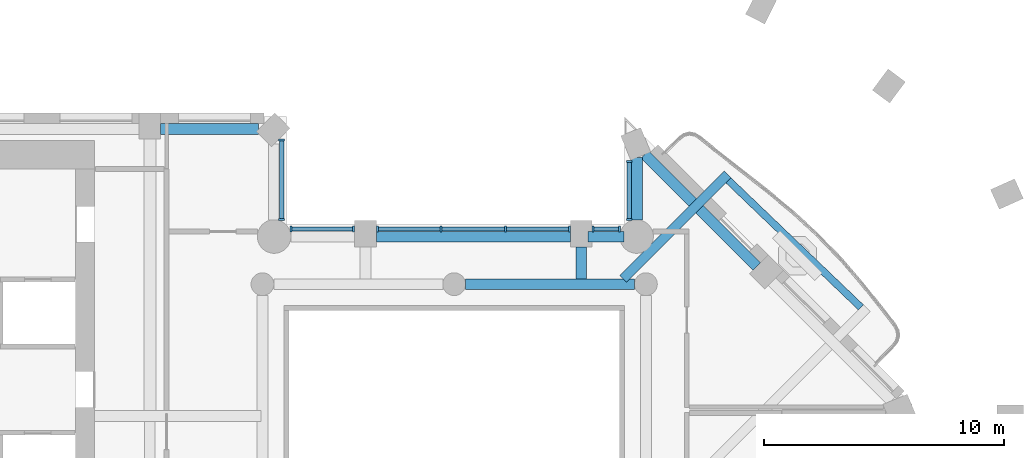
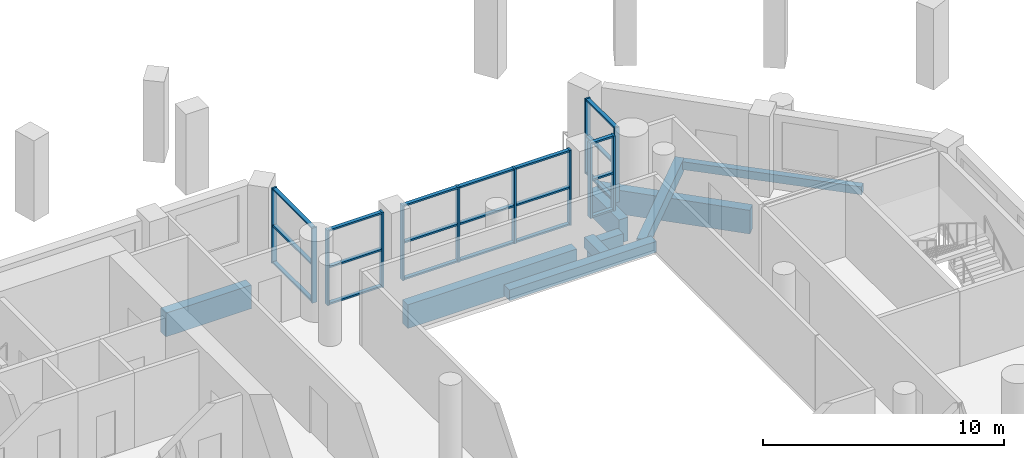
# One storey, part 2 of 15: 33 members, 9 beams, 5 elements without a shape of their own.
"""IFC4 building model written with IfcOpenShell, lengths in metres."""

from ifc_helpers import new_model, si_unit, direction, frame, origin, origin_2d, place, context, subcontext, project, spatial, rectangle, extrude, material, material_profile, profile_set, type_object, element, aggregate, save


model = new_model("IFC4")

# Units and contexts
model_context = context("Model", 3, precision=1e-05, world=origin(), true_north=direction((0.0, 1.0)))
body_context = subcontext(model_context, "Body", "Model", "MODEL_VIEW")
ifc_project = project(units=[si_unit("LENGTHUNIT", "METRE"), si_unit("AREAUNIT", "SQUARE_METRE"), si_unit("VOLUMEUNIT", "CUBIC_METRE"), si_unit("PLANEANGLEUNIT", "RADIAN"), si_unit("MASSUNIT", "GRAM", prefix="KILO")], contexts=[model_context])

# Site, building, storey
site_placement = place(None, origin())
site = spatial("IfcSite", under=ifc_project, at=site_placement, CompositionType="ELEMENT")
building_placement = place(site_placement, origin())
building = spatial("IfcBuilding", under=site, at=building_placement, Name="Cypress Arch Tower", CompositionType="ELEMENT")
storey_placement = place(building_placement, frame((0.0, 0.0, 213.800048828125)))
storey = spatial("IfcBuildingStorey", under=building, at=storey_placement, Name="L47", CompositionType="ELEMENT", Elevation=213.800048828125)

# Beams
ifc_material_1 = material(Name="Concrete C50/60", Category="concrete")
ifc_material_profile_1 = material_profile(ifc_material_1, rectangle(XDim=0.300048828125, YDim=0.39990234375, at=origin_2d()), Name="RC 300x400")
ifc_profile_set_1 = profile_set([ifc_material_profile_1], Name="Concrete C50/60")
beam_type_1 = type_object("IfcBeamType", Name="Balcony edge beam RC 300x400 Concrete C50/60", PredefinedType="BEAM", material=ifc_profile_set_1)
beam_1_placement = place(storey_placement, frame((17.97216796875, 9.03076171875, -0.5), z_axis=(-0.721938465485, 0.691957261724, 0.0), x_axis=(-0.691957261724, -0.721938465485, 0.0)))
element("IfcBeam", 1, at=beam_1_placement, inside=storey, type_object=beam_type_1, Name="Balcony edge beam L47 B05", PredefinedType="BEAM", context=body_context, shape_type="SweptSolid", body=[
    extrude(rectangle(XDim=0.300048828125, YDim=0.39990234375, at=origin_2d()), origin(), (0.0, 0.0, 1.0), 7.66259765625),
])
ifc_material_2 = material(Name="Concrete C50/60", Category="concrete")
ifc_material_profile_2 = material_profile(ifc_material_2, rectangle(XDim=0.39990234375, YDim=0.64990234375, at=origin_2d()), Name="RC 400x650")
ifc_profile_set_2 = profile_set([ifc_material_profile_2], Name="Concrete C50/60")
beam_type_2 = type_object("IfcBeamType", Name="Cantilever beam RC 400x650 Concrete C50/60", PredefinedType="BEAM", material=ifc_profile_set_2)
beam_2_placement = place(storey_placement, frame((8.04931640625, 10.22509765625, -0.625), z_axis=(0.707106781187, 0.707106781187, 0.0), x_axis=(-0.707106781187, 0.707106781187, 0.0)))
element("IfcBeam", 2, at=beam_2_placement, inside=storey, type_object=beam_type_2, Name="Cantilever beam L47 B05 2", PredefinedType="BEAM", context=body_context, shape_type="SweptSolid", body=[
    extrude(rectangle(XDim=0.39990234375, YDim=0.64990234375, at=origin_2d()), origin(), (0.0, 0.0, 1.0), 6.15966796875),
])
ifc_material_3 = material(Name="Concrete C50/60", Category="concrete")
ifc_material_profile_3 = material_profile(ifc_material_3, rectangle(XDim=0.449951171875, YDim=0.550048828125, at=origin_2d()), Name="RC 450x550")
ifc_profile_set_3 = profile_set([ifc_material_profile_3], Name="Concrete C50/60")
beam_type_3 = type_object("IfcBeamType", Name="Floor beam RC 450x550 Concrete C50/60", PredefinedType="BEAM", material=ifc_profile_set_3)
beam_3_placement = place(storey_placement, frame((1.47509765625, 10.0, -0.574951171875), z_axis=(1.0, 0.0, 0.0), x_axis=(0.0, 1.0, 0.0)))
element("IfcBeam", 3, at=beam_3_placement, inside=storey, type_object=beam_type_3, Name="Floor beam L47 RB008", PredefinedType="BEAM", context=body_context, shape_type="SweptSolid", body=[
    extrude(rectangle(XDim=0.449951171875, YDim=0.550048828125, at=origin_2d()), origin(), (0.0, 0.0, 1.0), 7.0498046875),
])
beam_4_placement = place(storey_placement, frame((6.300048828125, 10.22509765625, -0.574951171875), z_axis=(0.0, 1.0, 0.0), x_axis=(-1.0, 0.0, 0.0)))
element("IfcBeam", 4, at=beam_4_placement, inside=storey, type_object=beam_type_3, Name="Floor beam L47 FB017", PredefinedType="BEAM", context=body_context, shape_type="SweptSolid", body=[
    extrude(rectangle(XDim=0.449951171875, YDim=0.550048828125, at=origin_2d()), origin(), (0.0, 0.0, 1.0), 1.324951171875),
])

# Curtain wall, members
ifc_material_4 = material(Name="Anodised aluminium, bronze finish, clear laminated double glazing", Category="aluminium")
curtain_wall_type = type_object("IfcCurtainWallType", Name="Curtain wall CW7 slot glazing", PredefinedType="NOTDEFINED", material=ifc_material_4)
curtain_wall_1_placement = place(storey_placement, origin())
curtain_wall_1 = element("IfcCurtainWall", 5, at=curtain_wall_1_placement, inside=storey, type_object=curtain_wall_type, Name="Curtain wall L47 slot B06.0", PredefinedType="NOTDEFINED")
ifc_material_5 = material(Name="Anodised aluminium, bronze finish", Category="aluminium")
ifc_material_profile_4 = material_profile(ifc_material_5, rectangle(XDim=0.239990234375, YDim=0.0849609375, at=origin_2d()), Name="Mullion 85x240")
ifc_profile_set_4 = profile_set([ifc_material_profile_4], Name="Anodised aluminium, bronze finish")
member_type_1 = type_object("IfcMemberType", Name="Mullion CW7 85x240", PredefinedType="MULLION", material=ifc_profile_set_4)
member_1_placement = place(storey_placement, frame((8.300048828125, 15.12744140625, 0.0), z_axis=(0.0, 0.0, 1.0), x_axis=(1.0, 0.0, 0.0)))
member_1 = element("IfcMember", 6, at=member_1_placement, type_object=member_type_1, Name="CW7 mullion 1", PredefinedType="MULLION", context=body_context, shape_type="SweptSolid", body=[
    extrude(rectangle(XDim=0.239990234375, YDim=0.0849609375, at=origin_2d()), origin(), (0.0, 0.0, 1.0), 3.800048828125),
])
member_2_placement = place(storey_placement, frame((8.300048828125, 12.697021484375, 0.0), z_axis=(0.0, 0.0, 1.0), x_axis=(1.0, 0.0, 0.0)))
member_2 = element("IfcMember", 7, at=member_2_placement, type_object=member_type_1, Name="CW7 mullion 2", PredefinedType="MULLION", context=body_context, shape_type="SweptSolid", body=[
    extrude(rectangle(XDim=0.239990234375, YDim=0.0849609375, at=origin_2d()), origin(), (0.0, 0.0, 1.0), 3.800048828125),
])

curtain_wall_2_placement = place(storey_placement, origin())
curtain_wall_2 = element("IfcCurtainWall", 8, at=curtain_wall_2_placement, inside=storey, type_object=curtain_wall_type, Name="Curtain wall L47 slot B07.0", PredefinedType="NOTDEFINED")
member_3_placement = place(storey_placement, frame((7.903076171875, 12.300048828125, 0.0), z_axis=(0.0, 0.0, 1.0), x_axis=(0.0, -1.0, 0.0)))
member_3 = element("IfcMember", 9, at=member_3_placement, type_object=member_type_1, Name="CW7 mullion 1", PredefinedType="MULLION", context=body_context, shape_type="SweptSolid", body=[
    extrude(rectangle(XDim=0.239990234375, YDim=0.0849609375, at=origin_2d()), origin(), (0.0, 0.0, 1.0), 3.800048828125),
])
member_4_placement = place(storey_placement, frame((6.79248046875, 12.300048828125, 0.0), z_axis=(0.0, 0.0, 1.0), x_axis=(0.0, -1.0, 0.0)))
member_4 = element("IfcMember", 10, at=member_4_placement, type_object=member_type_1, Name="CW7 mullion 2", PredefinedType="MULLION", context=body_context, shape_type="SweptSolid", body=[
    extrude(rectangle(XDim=0.239990234375, YDim=0.0849609375, at=origin_2d()), origin(), (0.0, 0.0, 1.0), 3.800048828125),
])

curtain_wall_3_placement = place(storey_placement, origin())
curtain_wall_3 = element("IfcCurtainWall", 11, at=curtain_wall_3_placement, inside=storey, type_object=curtain_wall_type, Name="Curtain wall L47 slot B07.1", PredefinedType="NOTDEFINED")
member_5_placement = place(storey_placement, frame((5.8076171875, 12.300048828125, 0.0), z_axis=(0.0, 0.0, 1.0), x_axis=(0.0, -1.0, 0.0)))
member_5 = element("IfcMember", 12, at=member_5_placement, type_object=member_type_1, Name="CW7 mullion 1", PredefinedType="MULLION", context=body_context, shape_type="SweptSolid", body=[
    extrude(rectangle(XDim=0.239990234375, YDim=0.0849609375, at=origin_2d()), origin(), (0.0, 0.0, 1.0), 3.800048828125),
])
member_6_placement = place(storey_placement, frame((3.14990234375, 12.300048828125, 0.0), z_axis=(0.0, 0.0, 1.0), x_axis=(0.0, -1.0, 0.0)))
member_6 = element("IfcMember", 13, at=member_6_placement, type_object=member_type_1, Name="CW7 mullion 2", PredefinedType="MULLION", context=body_context, shape_type="SweptSolid", body=[
    extrude(rectangle(XDim=0.239990234375, YDim=0.0849609375, at=origin_2d()), origin(), (0.0, 0.0, 1.0), 3.800048828125),
])
member_7_placement = place(storey_placement, frame((0.449951171875, 12.300048828125, 0.0), z_axis=(0.0, 0.0, 1.0), x_axis=(0.0, -1.0, 0.0)))
member_7 = element("IfcMember", 14, at=member_7_placement, type_object=member_type_1, Name="CW7 mullion 3", PredefinedType="MULLION", context=body_context, shape_type="SweptSolid", body=[
    extrude(rectangle(XDim=0.239990234375, YDim=0.0849609375, at=origin_2d()), origin(), (0.0, 0.0, 1.0), 3.800048828125),
])
member_8_placement = place(storey_placement, frame((-2.20751953125, 12.300048828125, 0.0), z_axis=(0.0, 0.0, 1.0), x_axis=(0.0, -1.0, 0.0)))
member_8 = element("IfcMember", 15, at=member_8_placement, type_object=member_type_1, Name="CW7 mullion 4", PredefinedType="MULLION", context=body_context, shape_type="SweptSolid", body=[
    extrude(rectangle(XDim=0.239990234375, YDim=0.0849609375, at=origin_2d()), origin(), (0.0, 0.0, 1.0), 3.800048828125),
])

curtain_wall_4_placement = place(storey_placement, origin())
curtain_wall_4 = element("IfcCurtainWall", 16, at=curtain_wall_4_placement, inside=storey, type_object=curtain_wall_type, Name="Curtain wall L47 slot B07.2", PredefinedType="NOTDEFINED")
member_9_placement = place(storey_placement, frame((-3.1923828125, 12.300048828125, 0.0), z_axis=(0.0, 0.0, 1.0), x_axis=(0.0, -1.0, 0.0)))
member_9 = element("IfcMember", 17, at=member_9_placement, type_object=member_type_1, Name="CW7 mullion 1", PredefinedType="MULLION", context=body_context, shape_type="SweptSolid", body=[
    extrude(rectangle(XDim=0.239990234375, YDim=0.0849609375, at=origin_2d()), origin(), (0.0, 0.0, 1.0), 3.800048828125),
])
member_10_placement = place(storey_placement, frame((-5.802978515625, 12.300048828125, 0.0), z_axis=(0.0, 0.0, 1.0), x_axis=(0.0, -1.0, 0.0)))
member_10 = element("IfcMember", 18, at=member_10_placement, type_object=member_type_1, Name="CW7 mullion 2", PredefinedType="MULLION", context=body_context, shape_type="SweptSolid", body=[
    extrude(rectangle(XDim=0.239990234375, YDim=0.0849609375, at=origin_2d()), origin(), (0.0, 0.0, 1.0), 3.800048828125),
])

curtain_wall_5_placement = place(storey_placement, origin())
curtain_wall_5 = element("IfcCurtainWall", 19, at=curtain_wall_5_placement, inside=storey, type_object=curtain_wall_type, Name="Curtain wall L47 slot B08.0", PredefinedType="NOTDEFINED")
member_11_placement = place(storey_placement, frame((-6.199951171875, 12.697021484375, 0.0), z_axis=(0.0, 0.0, 1.0), x_axis=(-1.0, 0.0, 0.0)))
member_11 = element("IfcMember", 20, at=member_11_placement, type_object=member_type_1, Name="CW7 mullion 1", PredefinedType="MULLION", context=body_context, shape_type="SweptSolid", body=[
    extrude(rectangle(XDim=0.239990234375, YDim=0.0849609375, at=origin_2d()), origin(), (0.0, 0.0, 1.0), 3.800048828125),
])
member_12_placement = place(storey_placement, frame((-6.199951171875, 16.02099609375, 0.0), z_axis=(0.0, 0.0, 1.0), x_axis=(-1.0, 0.0, 0.0)))
member_12 = element("IfcMember", 21, at=member_12_placement, type_object=member_type_1, Name="CW7 mullion 2", PredefinedType="MULLION", context=body_context, shape_type="SweptSolid", body=[
    extrude(rectangle(XDim=0.239990234375, YDim=0.0849609375, at=origin_2d()), origin(), (0.0, 0.0, 1.0), 3.800048828125),
])

# Beams
ifc_material_6 = material(Name="Concrete C50/60", Category="concrete")
ifc_material_profile_5 = material_profile(ifc_material_6, rectangle(XDim=0.449951171875, YDim=1.199951171875, at=origin_2d()), Name="RC 450x1200")
ifc_profile_set_5 = profile_set([ifc_material_profile_5], Name="Concrete C50/60")
beam_type_4 = type_object("IfcBeamType", Name="Spandrel beam RC 450x1200 Concrete C50/60", PredefinedType="SPANDREL", material=ifc_profile_set_5)
beam_5_placement = place(storey_placement, frame((13.622802734375, 10.73486328125, -1.550048828125), z_axis=(-0.707106781187, 0.707106781187, 0.0), x_axis=(-0.707106781187, -0.707106781187, 0.0)))
element("IfcBeam", 22, at=beam_5_placement, inside=storey, type_object=beam_type_4, Name="Spandrel beam L47 BB05-1", PredefinedType="SPANDREL", context=body_context, shape_type="SweptSolid", body=[
    extrude(rectangle(XDim=0.449951171875, YDim=1.199951171875, at=origin_2d()), origin(), (0.0, 0.0, 1.0), 6.610595703125),
])
beam_6_placement = place(storey_placement, frame((8.625, 15.275146484375, -1.550048828125), z_axis=(0.0, -1.0, 0.0), x_axis=(1.0, 0.0, 0.0)))
element("IfcBeam", 23, at=beam_6_placement, inside=storey, type_object=beam_type_4, Name="Spandrel beam L47 BB06-0", PredefinedType="SPANDREL", context=body_context, shape_type="SweptSolid", body=[
    extrude(rectangle(XDim=0.449951171875, YDim=1.199951171875, at=origin_2d()), origin(), (0.0, 0.0, 1.0), 2.587646484375),
])
beam_7_placement = place(storey_placement, frame((8.081298828125, 11.97509765625, -1.550048828125), z_axis=(-1.0, 0.0, 0.0), x_axis=(0.0, -1.0, 0.0)))
element("IfcBeam", 24, at=beam_7_placement, inside=storey, type_object=beam_type_4, Name="Spandrel beam L47 BB07-0", PredefinedType="SPANDREL", context=body_context, shape_type="SweptSolid", body=[
    extrude(rectangle(XDim=0.449951171875, YDim=1.199951171875, at=origin_2d()), origin(), (0.0, 0.0, 1.0), 1.5),
])
beam_8_placement = place(storey_placement, frame((5.85009765625, 11.97509765625, -1.550048828125), z_axis=(-1.0, 0.0, 0.0), x_axis=(0.0, -1.0, 0.0)))
element("IfcBeam", 25, at=beam_8_placement, inside=storey, type_object=beam_type_4, Name="Spandrel beam L47 BB07-1", PredefinedType="SPANDREL", context=body_context, shape_type="SweptSolid", body=[
    extrude(rectangle(XDim=0.449951171875, YDim=1.199951171875, at=origin_2d()), origin(), (0.0, 0.0, 1.0), 8.10009765625),
])
beam_9_placement = place(storey_placement, frame((-7.161376953125, 16.47509765625, -1.550048828125), z_axis=(-1.0, 0.0, 0.0), x_axis=(0.0, -1.0, 0.0)))
element("IfcBeam", 26, at=beam_9_placement, inside=storey, type_object=beam_type_4, Name="Spandrel beam L47 BB09-0", PredefinedType="SPANDREL", context=body_context, shape_type="SweptSolid", body=[
    extrude(rectangle(XDim=0.449951171875, YDim=1.199951171875, at=origin_2d()), origin(), (0.0, 0.0, 1.0), 4.088623046875),
])

# Member
ifc_material_7 = material(Name="Anodised aluminium, bronze finish", Category="aluminium")
ifc_material_profile_6 = material_profile(ifc_material_7, rectangle(XDim=0.179931640625, YDim=0.0849609375, at=origin_2d()), Name="Transom 85x180")
ifc_profile_set_6 = profile_set([ifc_material_profile_6], Name="Anodised aluminium, bronze finish")
member_type_2 = type_object("IfcMemberType", Name="Transom CW7 85x180", PredefinedType="USERDEFINED", material=ifc_profile_set_6)
member_13_placement = place(storey_placement, frame((8.300048828125, 15.0849609375, 0.04248046875), z_axis=(0.0, -1.0, 0.0), x_axis=(1.0, 0.0, 0.0)))
member_13 = element("IfcMember", 27, at=member_13_placement, type_object=member_type_2, Name="CW7 transom 1.1", ObjectType="TRANSOM", PredefinedType="USERDEFINED", context=body_context, shape_type="SweptSolid", body=[
    extrude(rectangle(XDim=0.179931640625, YDim=0.0849609375, at=origin_2d()), origin(), (0.0, 0.0, 1.0), 2.345458984375),
])

member_14_placement = place(storey_placement, frame((8.300048828125, 15.0849609375, 1.89990234375), z_axis=(0.0, -1.0, 0.0), x_axis=(1.0, 0.0, 0.0)))
member_14 = element("IfcMember", 28, at=member_14_placement, type_object=member_type_2, Name="CW7 transom 1.2", ObjectType="TRANSOM", PredefinedType="USERDEFINED", context=body_context, shape_type="SweptSolid", body=[
    extrude(rectangle(XDim=0.179931640625, YDim=0.0849609375, at=origin_2d()), origin(), (0.0, 0.0, 1.0), 2.345458984375),
])

member_15_placement = place(storey_placement, frame((8.300048828125, 15.0849609375, 3.757568359375), z_axis=(0.0, -1.0, 0.0), x_axis=(1.0, 0.0, 0.0)))
member_15 = element("IfcMember", 29, at=member_15_placement, type_object=member_type_2, Name="CW7 transom 1.3", ObjectType="TRANSOM", PredefinedType="USERDEFINED", context=body_context, shape_type="SweptSolid", body=[
    extrude(rectangle(XDim=0.179931640625, YDim=0.0849609375, at=origin_2d()), origin(), (0.0, 0.0, 1.0), 2.345458984375),
])

aggregate(curtain_wall_1, [member_1, member_2, member_13, member_14, member_15])

member_16_placement = place(storey_placement, frame((7.8603515625, 12.300048828125, 0.04248046875), z_axis=(-1.0, 0.0, 0.0), x_axis=(0.0, -1.0, 0.0)))
member_16 = element("IfcMember", 30, at=member_16_placement, type_object=member_type_2, Name="CW7 transom 1.1", ObjectType="TRANSOM", PredefinedType="USERDEFINED", context=body_context, shape_type="SweptSolid", body=[
    extrude(rectangle(XDim=0.179931640625, YDim=0.0849609375, at=origin_2d()), origin(), (0.0, 0.0, 1.0), 1.025390625),
])

member_17_placement = place(storey_placement, frame((7.8603515625, 12.300048828125, 1.89990234375), z_axis=(-1.0, 0.0, 0.0), x_axis=(0.0, -1.0, 0.0)))
member_17 = element("IfcMember", 31, at=member_17_placement, type_object=member_type_2, Name="CW7 transom 1.2", ObjectType="TRANSOM", PredefinedType="USERDEFINED", context=body_context, shape_type="SweptSolid", body=[
    extrude(rectangle(XDim=0.179931640625, YDim=0.0849609375, at=origin_2d()), origin(), (0.0, 0.0, 1.0), 1.025390625),
])

member_18_placement = place(storey_placement, frame((7.8603515625, 12.300048828125, 3.757568359375), z_axis=(-1.0, 0.0, 0.0), x_axis=(0.0, -1.0, 0.0)))
member_18 = element("IfcMember", 32, at=member_18_placement, type_object=member_type_2, Name="CW7 transom 1.3", ObjectType="TRANSOM", PredefinedType="USERDEFINED", context=body_context, shape_type="SweptSolid", body=[
    extrude(rectangle(XDim=0.179931640625, YDim=0.0849609375, at=origin_2d()), origin(), (0.0, 0.0, 1.0), 1.025390625),
])

aggregate(curtain_wall_2, [member_3, member_4, member_16, member_17, member_18])

member_19_placement = place(storey_placement, frame((5.764892578125, 12.300048828125, 0.04248046875), z_axis=(-1.0, 0.0, 0.0), x_axis=(0.0, -1.0, 0.0)))
member_19 = element("IfcMember", 33, at=member_19_placement, type_object=member_type_2, Name="CW7 transom 1.1", ObjectType="TRANSOM", PredefinedType="USERDEFINED", context=body_context, shape_type="SweptSolid", body=[
    extrude(rectangle(XDim=0.179931640625, YDim=0.0849609375, at=origin_2d()), origin(), (0.0, 0.0, 1.0), 2.572509765625),
])

member_20_placement = place(storey_placement, frame((5.764892578125, 12.300048828125, 1.89990234375), z_axis=(-1.0, 0.0, 0.0), x_axis=(0.0, -1.0, 0.0)))
member_20 = element("IfcMember", 34, at=member_20_placement, type_object=member_type_2, Name="CW7 transom 1.2", ObjectType="TRANSOM", PredefinedType="USERDEFINED", context=body_context, shape_type="SweptSolid", body=[
    extrude(rectangle(XDim=0.179931640625, YDim=0.0849609375, at=origin_2d()), origin(), (0.0, 0.0, 1.0), 2.572509765625),
])

member_21_placement = place(storey_placement, frame((5.764892578125, 12.300048828125, 3.757568359375), z_axis=(-1.0, 0.0, 0.0), x_axis=(0.0, -1.0, 0.0)))
member_21 = element("IfcMember", 35, at=member_21_placement, type_object=member_type_2, Name="CW7 transom 1.3", ObjectType="TRANSOM", PredefinedType="USERDEFINED", context=body_context, shape_type="SweptSolid", body=[
    extrude(rectangle(XDim=0.179931640625, YDim=0.0849609375, at=origin_2d()), origin(), (0.0, 0.0, 1.0), 2.572509765625),
])

member_22_placement = place(storey_placement, frame((3.107421875, 12.300048828125, 0.04248046875), z_axis=(-1.0, 0.0, 0.0), x_axis=(0.0, -1.0, 0.0)))
member_22 = element("IfcMember", 36, at=member_22_placement, type_object=member_type_2, Name="CW7 transom 2.1", ObjectType="TRANSOM", PredefinedType="USERDEFINED", context=body_context, shape_type="SweptSolid", body=[
    extrude(rectangle(XDim=0.179931640625, YDim=0.0849609375, at=origin_2d()), origin(), (0.0, 0.0, 1.0), 2.614990234375),
])

member_23_placement = place(storey_placement, frame((3.107421875, 12.300048828125, 1.89990234375), z_axis=(-1.0, 0.0, 0.0), x_axis=(0.0, -1.0, 0.0)))
member_23 = element("IfcMember", 37, at=member_23_placement, type_object=member_type_2, Name="CW7 transom 2.2", ObjectType="TRANSOM", PredefinedType="USERDEFINED", context=body_context, shape_type="SweptSolid", body=[
    extrude(rectangle(XDim=0.179931640625, YDim=0.0849609375, at=origin_2d()), origin(), (0.0, 0.0, 1.0), 2.614990234375),
])

member_24_placement = place(storey_placement, frame((3.107421875, 12.300048828125, 3.757568359375), z_axis=(-1.0, 0.0, 0.0), x_axis=(0.0, -1.0, 0.0)))
member_24 = element("IfcMember", 38, at=member_24_placement, type_object=member_type_2, Name="CW7 transom 2.3", ObjectType="TRANSOM", PredefinedType="USERDEFINED", context=body_context, shape_type="SweptSolid", body=[
    extrude(rectangle(XDim=0.179931640625, YDim=0.0849609375, at=origin_2d()), origin(), (0.0, 0.0, 1.0), 2.614990234375),
])

member_25_placement = place(storey_placement, frame((0.407470703125, 12.300048828125, 0.04248046875), z_axis=(-1.0, 0.0, 0.0), x_axis=(0.0, -1.0, 0.0)))
member_25 = element("IfcMember", 39, at=member_25_placement, type_object=member_type_2, Name="CW7 transom 3.1", ObjectType="TRANSOM", PredefinedType="USERDEFINED", context=body_context, shape_type="SweptSolid", body=[
    extrude(rectangle(XDim=0.179931640625, YDim=0.0849609375, at=origin_2d()), origin(), (0.0, 0.0, 1.0), 2.572509765625),
])

member_26_placement = place(storey_placement, frame((0.407470703125, 12.300048828125, 1.89990234375), z_axis=(-1.0, 0.0, 0.0), x_axis=(0.0, -1.0, 0.0)))
member_26 = element("IfcMember", 40, at=member_26_placement, type_object=member_type_2, Name="CW7 transom 3.2", ObjectType="TRANSOM", PredefinedType="USERDEFINED", context=body_context, shape_type="SweptSolid", body=[
    extrude(rectangle(XDim=0.179931640625, YDim=0.0849609375, at=origin_2d()), origin(), (0.0, 0.0, 1.0), 2.572509765625),
])

member_27_placement = place(storey_placement, frame((0.407470703125, 12.300048828125, 3.757568359375), z_axis=(-1.0, 0.0, 0.0), x_axis=(0.0, -1.0, 0.0)))
member_27 = element("IfcMember", 41, at=member_27_placement, type_object=member_type_2, Name="CW7 transom 3.3", ObjectType="TRANSOM", PredefinedType="USERDEFINED", context=body_context, shape_type="SweptSolid", body=[
    extrude(rectangle(XDim=0.179931640625, YDim=0.0849609375, at=origin_2d()), origin(), (0.0, 0.0, 1.0), 2.572509765625),
])

aggregate(curtain_wall_3, [member_5, member_6, member_7, member_8, member_19, member_20, member_21, member_22, member_23, member_24, member_25, member_26, member_27])

member_28_placement = place(storey_placement, frame((-3.235107421875, 12.300048828125, 0.04248046875), z_axis=(-1.0, 0.0, 0.0), x_axis=(0.0, -1.0, 0.0)))
member_28 = element("IfcMember", 42, at=member_28_placement, type_object=member_type_2, Name="CW7 transom 1.1", ObjectType="TRANSOM", PredefinedType="USERDEFINED", context=body_context, shape_type="SweptSolid", body=[
    extrude(rectangle(XDim=0.179931640625, YDim=0.0849609375, at=origin_2d()), origin(), (0.0, 0.0, 1.0), 2.525390625),
])

member_29_placement = place(storey_placement, frame((-3.235107421875, 12.300048828125, 1.89990234375), z_axis=(-1.0, 0.0, 0.0), x_axis=(0.0, -1.0, 0.0)))
member_29 = element("IfcMember", 43, at=member_29_placement, type_object=member_type_2, Name="CW7 transom 1.2", ObjectType="TRANSOM", PredefinedType="USERDEFINED", context=body_context, shape_type="SweptSolid", body=[
    extrude(rectangle(XDim=0.179931640625, YDim=0.0849609375, at=origin_2d()), origin(), (0.0, 0.0, 1.0), 2.525390625),
])

member_30_placement = place(storey_placement, frame((-3.235107421875, 12.300048828125, 3.757568359375), z_axis=(-1.0, 0.0, 0.0), x_axis=(0.0, -1.0, 0.0)))
member_30 = element("IfcMember", 44, at=member_30_placement, type_object=member_type_2, Name="CW7 transom 1.3", ObjectType="TRANSOM", PredefinedType="USERDEFINED", context=body_context, shape_type="SweptSolid", body=[
    extrude(rectangle(XDim=0.179931640625, YDim=0.0849609375, at=origin_2d()), origin(), (0.0, 0.0, 1.0), 2.525390625),
])

aggregate(curtain_wall_4, [member_9, member_10, member_28, member_29, member_30])

member_31_placement = place(storey_placement, frame((-6.199951171875, 12.739501953125, 0.04248046875), z_axis=(0.0, 1.0, 0.0), x_axis=(-1.0, 0.0, 0.0)))
member_31 = element("IfcMember", 45, at=member_31_placement, type_object=member_type_2, Name="CW7 transom 1.1", ObjectType="TRANSOM", PredefinedType="USERDEFINED", context=body_context, shape_type="SweptSolid", body=[
    extrude(rectangle(XDim=0.179931640625, YDim=0.0849609375, at=origin_2d()), origin(), (0.0, 0.0, 1.0), 3.239013671875),
])

member_32_placement = place(storey_placement, frame((-6.199951171875, 12.739501953125, 1.89990234375), z_axis=(0.0, 1.0, 0.0), x_axis=(-1.0, 0.0, 0.0)))
member_32 = element("IfcMember", 46, at=member_32_placement, type_object=member_type_2, Name="CW7 transom 1.2", ObjectType="TRANSOM", PredefinedType="USERDEFINED", context=body_context, shape_type="SweptSolid", body=[
    extrude(rectangle(XDim=0.179931640625, YDim=0.0849609375, at=origin_2d()), origin(), (0.0, 0.0, 1.0), 3.239013671875),
])

member_33_placement = place(storey_placement, frame((-6.199951171875, 12.739501953125, 3.757568359375), z_axis=(0.0, 1.0, 0.0), x_axis=(-1.0, 0.0, 0.0)))
member_33 = element("IfcMember", 47, at=member_33_placement, type_object=member_type_2, Name="CW7 transom 1.3", ObjectType="TRANSOM", PredefinedType="USERDEFINED", context=body_context, shape_type="SweptSolid", body=[
    extrude(rectangle(XDim=0.179931640625, YDim=0.0849609375, at=origin_2d()), origin(), (0.0, 0.0, 1.0), 3.239013671875),
])

aggregate(curtain_wall_5, [member_11, member_12, member_31, member_32, member_33])

save(model, "model.ifc")
